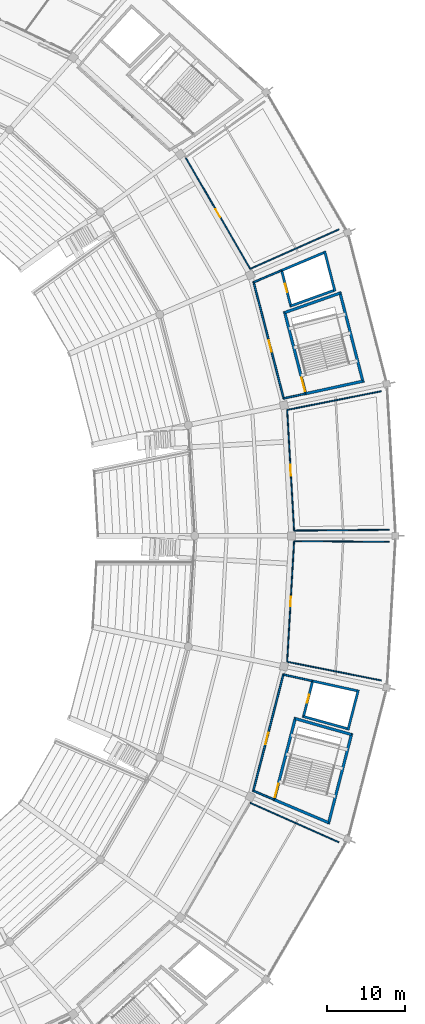
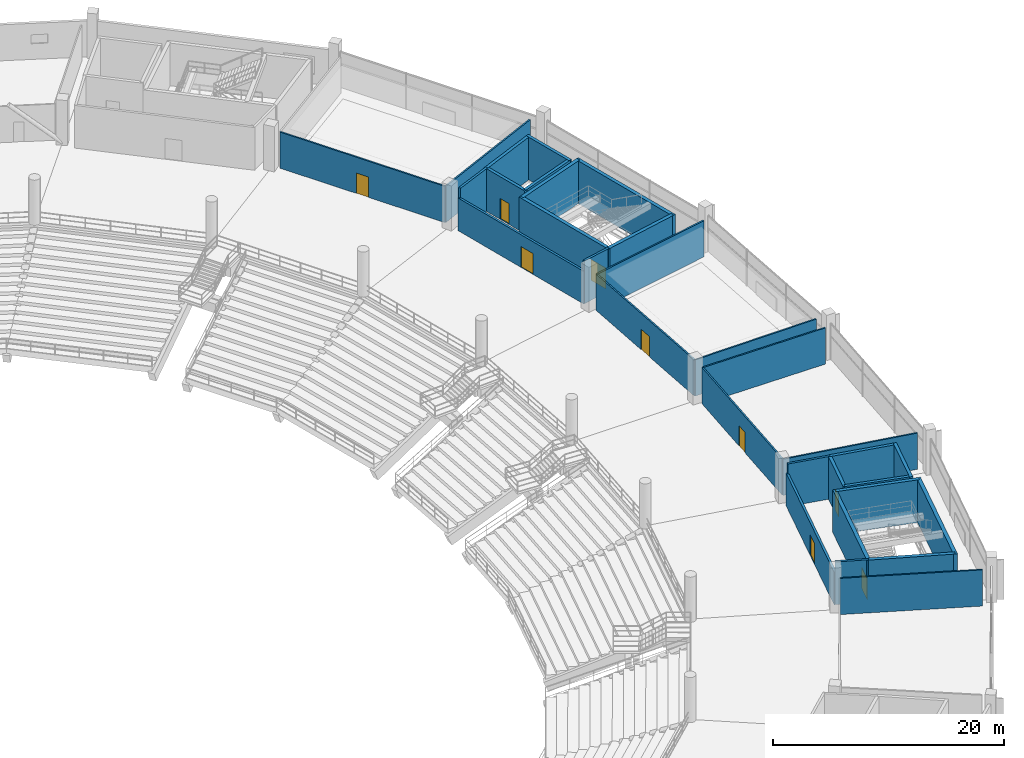
# One storey, part 105 of 156: 31 walls, 9 doors, 9 openings.
"""IFC4 building model written with IfcOpenShell, lengths in metres."""

from ifc_helpers import new_model, si_unit, direction, frame, frame_2d, origin, place, context, subcontext, project, spatial, rectangle, extrude, material, layer, layer_set, type_object, element, fill, save


model = new_model("IFC4")

# Units and contexts
model_context = context("Model", 3, precision=1e-05, world=origin(), true_north=direction((0.0, 1.0)))
body_context = subcontext(model_context, "Body", "Model", "MODEL_VIEW")
ifc_project = project(units=[si_unit("LENGTHUNIT", "METRE"), si_unit("AREAUNIT", "SQUARE_METRE"), si_unit("VOLUMEUNIT", "CUBIC_METRE"), si_unit("PLANEANGLEUNIT", "RADIAN"), si_unit("MASSUNIT", "GRAM", prefix="KILO")], contexts=[model_context])

# Site, building, storey
site_placement = place(None, origin())
site = spatial("IfcSite", under=ifc_project, at=site_placement, CompositionType="ELEMENT")
building_placement = place(site_placement, origin())
building = spatial("IfcBuilding", under=site, at=building_placement, Name="Kazemori Nagisa Stadium", CompositionType="ELEMENT")
storey_placement = place(building_placement, frame((0.0, 0.0, 5.780029296875)))
storey = spatial("IfcBuildingStorey", under=building, at=storey_placement, Name="L01", CompositionType="ELEMENT", Elevation=5.780029296875)

# Wall, opening, door
ifc_material_1 = material(Name="Concrete C40/50 (Fc42)", Category="concrete")
ifc_layer_1 = layer(ifc_material_1, 0.35009765625, Name="Concrete C40/50 (Fc42)", Category="concrete")
ifc_layer_set_1 = layer_set([ifc_layer_1], Name="Concrete C40/50 (Fc42)")
wall_type_1 = type_object("IfcWallType", Name="Wall_W-CORE-350", PredefinedType="SHEAR", material=ifc_layer_set_1)
wall_1_placement = place(storey_placement, frame((206.5625, 119.996337890625, 0.0), z_axis=(0.0, 0.0, 1.0), x_axis=(-0.249959564539, 0.968256276042, 0.0)))
wall_1 = element("IfcWall", 1, at=wall_1_placement, inside=storey, type_object=wall_type_1, Name="Core stair front shear wall ST07 L01", PredefinedType="SHEAR", context=body_context, shape_type="SweptSolid", body=[
    extrude(rectangle(XDim=11.046630859375, YDim=0.35009765625, at=frame_2d((5.5234375, 0.0))), origin(), (0.0, 0.0, 1.0), 4.5),
])
opening_1_placement = place(wall_1_placement, frame((0.47509765625, 0.0, 0.0)))
opening_1 = element("IfcOpeningElement", 2, at=opening_1_placement, cuts=wall_1, Name="Opening D-ST-1800", PredefinedType="OPENING", context=body_context, shape_type="SweptSolid", body=[
    extrude(rectangle(XDim=1.800048828125, YDim=2.199951171875, at=frame_2d((0.89990234375, 1.10009765625))), frame((0.0, 0.18505859375, 0.0), z_axis=(0.0, -1.0, 0.0), x_axis=(1.0, 0.0, 0.0)), (0.0, 0.0, 1.0), 0.3701171875),
])
ifc_material_2 = material(Name="Galvanised steel sheet", Category="steel")
door_type_1 = type_object("IfcDoorType", Name="Door_D-ST-1800", OperationType="NOTDEFINED", PredefinedType="DOOR", material=ifc_material_2)
door_1_placement = place(opening_1_placement, frame((1.800048828125, 0.0, 0.0), z_axis=(0.0, 0.0, 1.0), x_axis=(-1.0, 0.0, 0.0)))
door_1 = element("IfcDoor", 3, at=door_1_placement, inside=storey, type_object=door_type_1, Name="Exit stair fire door ST07-L01", OperationType="SINGLE_SWING_LEFT", OverallHeight=2.199951171875, OverallWidth=1.800048828125, PredefinedType="DOOR", context=body_context, shape_type="SweptSolid", body=[
    extrude(rectangle(XDim=1.800048828125, YDim=2.199951171875, at=frame_2d((0.89990234375, 1.10009765625))), frame((0.0, 0.02490234375, 0.0), z_axis=(0.0, -1.0, 0.0), x_axis=(1.0, 0.0, 0.0)), (0.0, 0.0, 1.0), 0.050048828125),
])
fill(opening_1, door_1)

# Walls
wall_2_placement = place(storey_placement, frame((213.86572265625, 121.5849609375, 0.0), z_axis=(0.0, 0.0, 1.0), x_axis=(-0.249969221583, 0.968253782983, 0.0)))
element("IfcWall", 4, at=wall_2_placement, inside=storey, type_object=wall_type_1, Name="Core stair rear shear wall ST07 L01", PredefinedType="SHEAR", context=body_context, shape_type="SweptSolid", body=[
    extrude(rectangle(XDim=11.98193359375, YDim=0.35009765625, at=frame_2d((5.990966796875, 0.0))), origin(), (0.0, 0.0, 1.0), 4.5),
])
wall_3_placement = place(storey_placement, frame((206.518798828125, 120.165771484375, 0.0), z_axis=(0.0, 0.0, 1.0), x_axis=(0.977149528138, 0.2125530514, 0.0)))
element("IfcWall", 5, at=wall_3_placement, inside=storey, type_object=wall_type_1, Name="Core stair left shear wall ST07 L01", PredefinedType="SHEAR", context=body_context, shape_type="SweptSolid", body=[
    extrude(rectangle(XDim=7.47412109375, YDim=0.35009765625, at=frame_2d((3.737060546875, 0.0))), origin(), (0.0, 0.0, 1.0), 4.5),
])
wall_4_placement = place(storey_placement, frame((203.844970703125, 130.52294921875, 0.0), z_axis=(0.0, 0.0, 1.0), x_axis=(0.943032412173, 0.332700871042, 0.0)))
element("IfcWall", 6, at=wall_4_placement, inside=storey, type_object=wall_type_1, Name="Core stair right shear wall ST07 L01", PredefinedType="SHEAR", context=body_context, shape_type="SweptSolid", body=[
    extrude(rectangle(XDim=7.49658203125, YDim=0.35009765625, at=frame_2d((3.748291015625, 0.0))), origin(), (0.0, 0.0, 1.0), 4.5),
])

# Wall, opening, door
wall_5_placement = place(storey_placement, frame((202.46435546875, 68.129150390625, 0.0), z_axis=(0.0, 0.0, 1.0), x_axis=(0.249959564539, 0.968256276042, 0.0)))
wall_5 = element("IfcWall", 7, at=wall_5_placement, inside=storey, type_object=wall_type_1, Name="Core stair front shear wall ST10 L01", PredefinedType="SHEAR", context=body_context, shape_type="SweptSolid", body=[
    extrude(rectangle(XDim=11.046630859375, YDim=0.35009765625, at=frame_2d((5.5234375, 0.0))), origin(), (0.0, 0.0, 1.0), 4.5),
])
opening_2_placement = place(wall_5_placement, frame((0.47509765625, 0.0, 0.0)))
opening_2 = element("IfcOpeningElement", 8, at=opening_2_placement, cuts=wall_5, Name="Opening D-ST-1800", PredefinedType="OPENING", context=body_context, shape_type="SweptSolid", body=[
    extrude(rectangle(XDim=1.800048828125, YDim=2.199951171875, at=frame_2d((0.89990234375, 1.10009765625))), frame((0.0, 0.18505859375, 0.0), z_axis=(0.0, -1.0, 0.0), x_axis=(1.0, 0.0, 0.0)), (0.0, 0.0, 1.0), 0.3701171875),
])
door_2_placement = place(opening_2_placement, frame((1.800048828125, 0.0, 0.0), z_axis=(0.0, 0.0, 1.0), x_axis=(-1.0, 0.0, 0.0)))
door_2 = element("IfcDoor", 9, at=door_2_placement, inside=storey, type_object=door_type_1, Name="Exit stair fire door ST10-L01", OperationType="SINGLE_SWING_RIGHT", OverallHeight=2.199951171875, OverallWidth=1.800048828125, PredefinedType="DOOR", context=body_context, shape_type="SweptSolid", body=[
    extrude(rectangle(XDim=1.800048828125, YDim=2.199951171875, at=frame_2d((0.89990234375, 1.10009765625))), frame((0.0, 0.02490234375, 0.0), z_axis=(0.0, -1.0, 0.0), x_axis=(1.0, 0.0, 0.0)), (0.0, 0.0, 1.0), 0.050048828125),
])
fill(opening_2, door_2)

# Walls
wall_6_placement = place(storey_placement, frame((209.4169921875, 65.18212890625, 0.0), z_axis=(0.0, 0.0, 1.0), x_axis=(0.249969221583, 0.968253782983, 0.0)))
element("IfcWall", 10, at=wall_6_placement, inside=storey, type_object=wall_type_1, Name="Core stair rear shear wall ST10 L01", PredefinedType="SHEAR", context=body_context, shape_type="SweptSolid", body=[
    extrude(rectangle(XDim=11.98193359375, YDim=0.35009765625, at=frame_2d((5.990966796875, 0.0))), origin(), (0.0, 0.0, 1.0), 4.5),
])
wall_7_placement = place(storey_placement, frame((202.508056640625, 68.298583984375, 0.0), z_axis=(0.0, 0.0, 1.0), x_axis=(0.920704667209, -0.390260061728, 0.0)))
element("IfcWall", 11, at=wall_7_placement, inside=storey, type_object=wall_type_1, Name="Core stair left shear wall ST10 L01", PredefinedType="SHEAR", context=body_context, shape_type="SweptSolid", body=[
    extrude(rectangle(XDim=7.551513671875, YDim=0.35009765625, at=frame_2d((3.77587890625, 0.0))), origin(), (0.0, 0.0, 1.0), 4.5),
])
wall_8_placement = place(storey_placement, frame((205.181884765625, 78.655517578125, 0.0), z_axis=(0.0, 0.0, 1.0), x_axis=(0.961945802461, -0.273240321195, 0.0)))
element("IfcWall", 12, at=wall_8_placement, inside=storey, type_object=wall_type_1, Name="Core stair right shear wall ST10 L01", PredefinedType="SHEAR", context=body_context, shape_type="SweptSolid", body=[
    extrude(rectangle(XDim=7.470458984375, YDim=0.35009765625, at=frame_2d((3.7353515625, 0.0))), origin(), (0.0, 0.0, 1.0), 4.5),
])

# Wall, opening, door
ifc_material_3 = material(Name="Concrete C36/45 (Fc36)", Category="concrete")
ifc_layer_2 = layer(ifc_material_3, 0.219970703125, Name="Concrete C36/45 (Fc36)", Category="concrete")
ifc_layer_set_2 = layer_set([ifc_layer_2], Name="Concrete C36/45 (Fc36)")
wall_type_2 = type_object("IfcWallType", Name="Wall_W-LOBBY-220", PredefinedType="SOLIDWALL", material=ifc_layer_set_2)
wall_9_placement = place(storey_placement, frame((203.7373046875, 119.448486328125, 0.0), z_axis=(0.0, 0.0, 1.0), x_axis=(-0.249963472505, 0.968255267176, 0.0)))
wall_9 = element("IfcWall", 13, at=wall_9_placement, inside=storey, type_object=wall_type_2, Name="Core lobby fire wall ST07 L01", PredefinedType="SOLIDWALL", context=body_context, shape_type="SweptSolid", body=[
    extrude(rectangle(XDim=15.552978515625, YDim=0.219970703125, at=frame_2d((7.7763671875, 0.0))), origin(), (0.0, 0.0, 1.0), 3.447998046875),
])
opening_3_placement = place(wall_9_placement, frame((6.260009765625, 0.0, 0.0)))
opening_3 = element("IfcOpeningElement", 14, at=opening_3_placement, cuts=wall_9, Name="Opening D-FFL-1500", PredefinedType="OPENING", context=body_context, shape_type="SweptSolid", body=[
    extrude(rectangle(XDim=1.5, YDim=2.199951171875, at=frame_2d((0.75, 1.10009765625))), frame((0.0, 0.119873046875, 0.0), z_axis=(0.0, -1.0, 0.0), x_axis=(1.0, 0.0, 0.0)), (0.0, 0.0, 1.0), 0.239990234375),
])
door_type_2 = type_object("IfcDoorType", Name="Door_D-FFL-1500", OperationType="NOTDEFINED", PredefinedType="DOOR", material=ifc_material_2)
door_3_placement = place(opening_3_placement, frame((1.5, 0.0, 0.0), z_axis=(0.0, 0.0, 1.0), x_axis=(-1.0, 0.0, 0.0)))
door_3 = element("IfcDoor", 15, at=door_3_placement, inside=storey, type_object=door_type_2, Name="Protected lobby fire door ST07-L01", OperationType="DOUBLE_DOOR_SINGLE_SWING", OverallHeight=2.199951171875, OverallWidth=1.5, PredefinedType="DOOR", context=body_context, shape_type="SweptSolid", body=[
    extrude(rectangle(XDim=1.5, YDim=2.199951171875, at=frame_2d((0.75, 1.10009765625))), frame((0.0, 0.02490234375, 0.0), z_axis=(0.0, -1.0, 0.0), x_axis=(1.0, 0.0, 0.0)), (0.0, 0.0, 1.0), 0.050048828125),
])
fill(opening_3, door_3)

# Walls
wall_10_placement = place(storey_placement, frame((203.7099609375, 119.554931640625, 0.0), z_axis=(0.0, 0.0, 1.0), x_axis=(0.977160263607, 0.212503692268, 0.0)))
element("IfcWall", 16, at=wall_10_placement, inside=storey, type_object=wall_type_2, Name="Core lobby left wall ST07 L01", PredefinedType="SOLIDWALL", context=body_context, shape_type="SweptSolid", body=[
    extrude(rectangle(XDim=2.87451171875, YDim=0.219970703125, at=frame_2d((1.437255859375, 0.0))), origin(), (0.0, 0.0, 1.0), 4.5),
])
wall_11_placement = place(storey_placement, frame((199.877197265625, 134.401123046875, 0.0), z_axis=(0.0, 0.0, 1.0), x_axis=(0.921486922561, 0.388409386535, 0.0)))
element("IfcWall", 17, at=wall_11_placement, inside=storey, type_object=wall_type_2, Name="Core lobby right wall ST07 L01", PredefinedType="SOLIDWALL", context=body_context, shape_type="SweptSolid", body=[
    extrude(rectangle(XDim=3.871337890625, YDim=0.219970703125, at=frame_2d((1.935546875, 0.0))), origin(), (0.0, 0.0, 1.0), 4.5),
])

# Wall, opening, door
wall_12_placement = place(storey_placement, frame((199.806640625, 69.325439453125, 0.0), z_axis=(0.0, 0.0, 1.0), x_axis=(0.249963472505, 0.968255267176, 0.0)))
wall_12 = element("IfcWall", 18, at=wall_12_placement, inside=storey, type_object=wall_type_2, Name="Core lobby fire wall ST10 L01", PredefinedType="SOLIDWALL", context=body_context, shape_type="SweptSolid", body=[
    extrude(rectangle(XDim=15.552978515625, YDim=0.219970703125, at=frame_2d((7.7763671875, 0.0))), origin(), (0.0, 0.0, 1.0), 3.447998046875),
])
opening_4_placement = place(wall_12_placement, frame((6.260009765625, 0.0, 0.0)))
opening_4 = element("IfcOpeningElement", 19, at=opening_4_placement, cuts=wall_12, Name="Opening D-FFL-1500", PredefinedType="OPENING", context=body_context, shape_type="SweptSolid", body=[
    extrude(rectangle(XDim=1.5, YDim=2.199951171875, at=frame_2d((0.75, 1.10009765625))), frame((0.0, 0.119873046875, 0.0), z_axis=(0.0, -1.0, 0.0), x_axis=(1.0, 0.0, 0.0)), (0.0, 0.0, 1.0), 0.239990234375),
])
door_4_placement = place(opening_4_placement, frame((1.5, 0.0, 0.0), z_axis=(0.0, 0.0, 1.0), x_axis=(-1.0, 0.0, 0.0)))
door_4 = element("IfcDoor", 20, at=door_4_placement, inside=storey, type_object=door_type_2, Name="Protected lobby fire door ST10-L01", OperationType="DOUBLE_DOOR_SINGLE_SWING", OverallHeight=2.199951171875, OverallWidth=1.5, PredefinedType="DOOR", context=body_context, shape_type="SweptSolid", body=[
    extrude(rectangle(XDim=1.5, YDim=2.199951171875, at=frame_2d((0.75, 1.10009765625))), frame((0.0, 0.02490234375, 0.0), z_axis=(0.0, -1.0, 0.0), x_axis=(1.0, 0.0, 0.0)), (0.0, 0.0, 1.0), 0.050048828125),
])
fill(opening_4, door_4)

# Walls
wall_13_placement = place(storey_placement, frame((199.834228515625, 69.431884765625, 0.0), z_axis=(0.0, 0.0, 1.0), x_axis=(0.920711790761, -0.390243255361, 0.0)))
element("IfcWall", 21, at=wall_13_placement, inside=storey, type_object=wall_type_2, Name="Core lobby left wall ST10 L01", PredefinedType="SOLIDWALL", context=body_context, shape_type="SweptSolid", body=[
    extrude(rectangle(XDim=2.904052734375, YDim=0.219970703125, at=frame_2d((1.4521484375, 0.0))), origin(), (0.0, 0.0, 1.0), 4.5),
])
wall_14_placement = place(storey_placement, frame((203.666748046875, 84.2783203125, 0.0), z_axis=(0.0, 0.0, 1.0), x_axis=(0.976714725209, -0.214542176645, 0.0)))
element("IfcWall", 22, at=wall_14_placement, inside=storey, type_object=wall_type_2, Name="Core lobby right wall ST10 L01", PredefinedType="SOLIDWALL", context=body_context, shape_type="SweptSolid", body=[
    extrude(rectangle(XDim=3.832763671875, YDim=0.219970703125, at=frame_2d((1.91650390625, 0.0))), origin(), (0.0, 0.0, 1.0), 4.5),
])

# Wall, opening, door
ifc_material_4 = material(Name="Moisture-resistant gypsum board", Category="gypsum")
ifc_layer_3 = layer(ifc_material_4, 0.14990234375, Name="Moisture-resistant gypsum board", Category="gypsum")
ifc_layer_set_3 = layer_set([ifc_layer_3], Name="Moisture-resistant gypsum board")
wall_type_3 = type_object("IfcWallType", Name="Wall_W-PART-150", PredefinedType="PARTITIONING", material=ifc_layer_set_3)
wall_15_placement = place(storey_placement, frame((205.041259765625, 102.67041015625, 0.0), z_axis=(0.0, 0.0, 1.0), x_axis=(-0.057603503798, 0.998339539611, 0.0)))
wall_15 = element("IfcWall", 23, at=wall_15_placement, inside=storey, type_object=wall_type_3, Name="Room corridor partition L01-B01", PredefinedType="PARTITIONING", context=body_context, shape_type="SweptSolid", body=[
    extrude(rectangle(XDim=15.4443359375, YDim=0.14990234375, at=frame_2d((7.72216796875, 0.0))), origin(), (0.0, 0.0, 1.0), 3.820068359375),
])
opening_5_placement = place(wall_15_placement, frame((7.047119140625, 0.0, 0.0)))
opening_5 = element("IfcOpeningElement", 24, at=opening_5_placement, cuts=wall_15, Name="Opening D-CON-1350", PredefinedType="OPENING", context=body_context, shape_type="SweptSolid", body=[
    extrude(rectangle(XDim=1.35009765625, YDim=2.14990234375, at=frame_2d((0.675048828125, 1.074951171875))), frame((0.0, 0.0849609375, 0.0), z_axis=(0.0, -1.0, 0.0), x_axis=(1.0, 0.0, 0.0)), (0.0, 0.0, 1.0), 0.169921875),
])
ifc_material_5 = material(Name="Anodised aluminium 6063-T5", Category="aluminium")
door_type_3 = type_object("IfcDoorType", Name="Door_D-CON-1350", OperationType="NOTDEFINED", PredefinedType="DOOR", material=ifc_material_5)
door_5_placement = place(opening_5_placement, origin())
door_5 = element("IfcDoor", 25, at=door_5_placement, inside=storey, type_object=door_type_3, Name="Room entrance door D-CON-1350 L01-B01", OperationType="SINGLE_SWING_LEFT", OverallHeight=2.14990234375, OverallWidth=1.35009765625, PredefinedType="DOOR", context=body_context, shape_type="SweptSolid", body=[
    extrude(rectangle(XDim=1.35009765625, YDim=2.14990234375, at=frame_2d((0.675048828125, 1.074951171875))), frame((0.0, 0.02490234375, 0.0), z_axis=(0.0, -1.0, 0.0), x_axis=(1.0, 0.0, 0.0)), (0.0, 0.0, 1.0), 0.050048828125),
])
fill(opening_5, door_5)

# Walls
wall_16_placement = place(storey_placement, frame((205.041259765625, 102.67041015625, 0.0), z_axis=(0.0, 0.0, 1.0), x_axis=(0.999966583768, 0.008175044183, 0.0)))
element("IfcWall", 26, at=wall_16_placement, inside=storey, type_object=wall_type_3, Name="Room radial partition L01-B01-L", PredefinedType="PARTITIONING", context=body_context, shape_type="SweptSolid", body=[
    extrude(rectangle(XDim=12.15478515625, YDim=0.14990234375, at=frame_2d((6.077392578125, 0.0))), origin(), (0.0, 0.0, 1.0), 3.820068359375),
])
wall_17_placement = place(storey_placement, frame((204.151611328125, 118.089111328125, 0.0), z_axis=(0.0, 0.0, 1.0), x_axis=(0.980904167784, 0.194491680088, 0.0)))
element("IfcWall", 27, at=wall_17_placement, inside=storey, type_object=wall_type_3, Name="Room radial partition L01-B01-R", PredefinedType="PARTITIONING", context=body_context, shape_type="SweptSolid", body=[
    extrude(rectangle(XDim=12.256591796875, YDim=0.14990234375, at=frame_2d((6.12841796875, 0.0))), origin(), (0.0, 0.0, 1.0), 3.820068359375),
])

# Wall, opening, door
wall_18_placement = place(storey_placement, frame((199.4375, 136.098876953125, 0.0), z_axis=(0.0, 0.0, 1.0), x_axis=(-0.501617777052, 0.865089362867, 0.0)))
wall_18 = element("IfcWall", 28, at=wall_18_placement, inside=storey, type_object=wall_type_3, Name="Room corridor partition L01-B03", PredefinedType="PARTITIONING", context=body_context, shape_type="SweptSolid", body=[
    extrude(rectangle(XDim=16.4638671875, YDim=0.14990234375, at=frame_2d((8.23193359375, 0.0))), origin(), (0.0, 0.0, 1.0), 3.820068359375),
])
opening_6_placement = place(wall_18_placement, frame((7.64208984375, 0.0, 0.0)))
opening_6 = element("IfcOpeningElement", 29, at=opening_6_placement, cuts=wall_18, Name="Opening D-FAD-1180", PredefinedType="OPENING", context=body_context, shape_type="SweptSolid", body=[
    extrude(rectangle(XDim=1.179931640625, YDim=2.14990234375, at=frame_2d((0.58984375, 1.074951171875))), frame((0.0, 0.0849609375, 0.0), z_axis=(0.0, -1.0, 0.0), x_axis=(1.0, 0.0, 0.0)), (0.0, 0.0, 1.0), 0.169921875),
])
ifc_material_6 = material(Name="High-pressure laminate on timber core", Category="wood")
door_type_4 = type_object("IfcDoorType", Name="Door_D-FAD-1180", OperationType="NOTDEFINED", PredefinedType="DOOR", material=ifc_material_6)
door_6_placement = place(opening_6_placement, origin())
door_6 = element("IfcDoor", 30, at=door_6_placement, inside=storey, type_object=door_type_4, Name="Room entrance door D-FAD-1180 L01-B03", OperationType="SINGLE_SWING_RIGHT", OverallHeight=2.14990234375, OverallWidth=1.179931640625, PredefinedType="DOOR", context=body_context, shape_type="SweptSolid", body=[
    extrude(rectangle(XDim=1.179931640625, YDim=2.14990234375, at=frame_2d((0.58984375, 1.074951171875))), frame((0.0, 0.02490234375, 0.0), z_axis=(0.0, -1.0, 0.0), x_axis=(1.0, 0.0, 0.0)), (0.0, 0.0, 1.0), 0.050048828125),
])
fill(opening_6, door_6)

# Walls
for number, where, z_axis, x_axis, name in (
    (31, (199.4375, 136.098876953125, 0.0), (0.0, 0.0, 1.0), (0.913245562849, 0.407409550621, 0.0), "Room radial partition L01-B03-L"),
    (32, (199.4375, 67.901123046875, 0.0), (0.0, 0.0, 1.0), (0.913245562849, -0.407409550621, 0.0), "Room radial partition L01-B26-R"),
):
    element("IfcWall", number, at=place(storey_placement, frame(where, z_axis=z_axis, x_axis=x_axis)), inside=storey, type_object=wall_type_3, Name=name, PredefinedType="PARTITIONING", context=body_context, shape_type="SweptSolid", body=[
        extrude(rectangle(XDim=12.399658203125, YDim=0.14990234375, at=frame_2d((6.19970703125, 0.0))), origin(), (0.0, 0.0, 1.0), 3.820068359375),
    ])

# Wall, opening, door
wall_19_placement = place(storey_placement, frame((204.151611328125, 85.910888671875, 0.0), z_axis=(0.0, 0.0, 1.0), x_axis=(0.057603503798, 0.998339539611, 0.0)))
wall_19 = element("IfcWall", 33, at=wall_19_placement, inside=storey, type_object=wall_type_3, Name="Room corridor partition L01-B28", PredefinedType="PARTITIONING", context=body_context, shape_type="SweptSolid", body=[
    extrude(rectangle(XDim=15.4443359375, YDim=0.14990234375, at=frame_2d((7.72216796875, 0.0))), origin(), (0.0, 0.0, 1.0), 3.820068359375),
])
opening_7_placement = place(wall_19_placement, frame((7.132080078125, 0.0, 0.0)))
opening_7 = element("IfcOpeningElement", 34, at=opening_7_placement, cuts=wall_19, Name="Opening D-FAD-1180", PredefinedType="OPENING", context=body_context, shape_type="SweptSolid", body=[
    extrude(rectangle(XDim=1.179931640625, YDim=2.14990234375, at=frame_2d((0.58984375, 1.074951171875))), frame((0.0, 0.0849609375, 0.0), z_axis=(0.0, -1.0, 0.0), x_axis=(1.0, 0.0, 0.0)), (0.0, 0.0, 1.0), 0.169921875),
])
door_7_placement = place(opening_7_placement, origin())
door_7 = element("IfcDoor", 35, at=door_7_placement, inside=storey, type_object=door_type_4, Name="Room entrance door D-FAD-1180 L01-B28", OperationType="SINGLE_SWING_RIGHT", OverallHeight=2.14990234375, OverallWidth=1.179931640625, PredefinedType="DOOR", context=body_context, shape_type="SweptSolid", body=[
    extrude(rectangle(XDim=1.179931640625, YDim=2.14990234375, at=frame_2d((0.58984375, 1.074951171875))), frame((0.0, 0.02490234375, 0.0), z_axis=(0.0, -1.0, 0.0), x_axis=(1.0, 0.0, 0.0)), (0.0, 0.0, 1.0), 0.050048828125),
])
fill(opening_7, door_7)

# Walls
wall_20_placement = place(storey_placement, frame((204.151611328125, 85.910888671875, 0.0), z_axis=(0.0, 0.0, 1.0), x_axis=(0.980904167784, -0.194491680088, 0.0)))
element("IfcWall", 36, at=wall_20_placement, inside=storey, type_object=wall_type_3, Name="Room radial partition L01-B28-L", PredefinedType="PARTITIONING", context=body_context, shape_type="SweptSolid", body=[
    extrude(rectangle(XDim=12.256591796875, YDim=0.14990234375, at=frame_2d((6.12841796875, 0.0))), origin(), (0.0, 0.0, 1.0), 3.820068359375),
])
wall_21_placement = place(storey_placement, frame((205.041259765625, 101.32958984375, 0.0), z_axis=(0.0, 0.0, 1.0), x_axis=(0.999966583768, -0.008175044183, 0.0)))
element("IfcWall", 37, at=wall_21_placement, inside=storey, type_object=wall_type_3, Name="Room radial partition L01-B28-R", PredefinedType="PARTITIONING", context=body_context, shape_type="SweptSolid", body=[
    extrude(rectangle(XDim=12.15478515625, YDim=0.14990234375, at=frame_2d((6.077392578125, 0.0))), origin(), (0.0, 0.0, 1.0), 3.820068359375),
])

# Wall, opening, door
ifc_layer_4 = layer(ifc_material_1, 0.300048828125, Name="Concrete C40/50 (Fc42)", Category="concrete")
ifc_layer_set_4 = layer_set([ifc_layer_4], Name="Concrete C40/50 (Fc42)")
wall_type_4 = type_object("IfcWallType", Name="Wall_W-SHAFT-300", PredefinedType="SHEAR", material=ifc_layer_set_4)
wall_22_placement = place(storey_placement, frame((204.65380859375, 131.22119140625, 0.0), z_axis=(0.0, 0.0, 1.0), x_axis=(-0.250003862389, 0.968244839279, 0.0)))
wall_22 = element("IfcWall", 38, at=wall_22_placement, inside=storey, type_object=wall_type_4, Name="Lift shaft front wall LP5 L01", PredefinedType="SHEAR", context=body_context, shape_type="SweptSolid", body=[
    extrude(rectangle(XDim=4.9873046875, YDim=0.300048828125, at=frame_2d((2.49365234375, 0.0))), origin(), (0.0, 0.0, 1.0), 4.5),
])
opening_8_placement = place(wall_22_placement, frame((1.944091796875, 0.0, 0.0)))
opening_8 = element("IfcOpeningElement", 39, at=opening_8_placement, cuts=wall_22, Name="Opening LD-PAX", PredefinedType="OPENING", context=body_context, shape_type="SweptSolid", body=[
    extrude(rectangle(XDim=1.10009765625, YDim=2.199951171875, at=frame_2d((0.550048828125, 1.10009765625))), frame((0.0, 0.159912109375, 0.0), z_axis=(0.0, -1.0, 0.0), x_axis=(1.0, 0.0, 0.0)), (0.0, 0.0, 1.0), 0.320068359375),
])
ifc_material_7 = material(Name="Stainless steel SUS304", Category="steel")
door_type_5 = type_object("IfcDoorType", Name="Door_LD-PAX", OperationType="SLIDING_TO_RIGHT", PredefinedType="DOOR", material=ifc_material_7)
door_8_placement = place(opening_8_placement, origin())
door_8 = element("IfcDoor", 40, at=door_8_placement, inside=storey, type_object=door_type_5, Name="Lift landing door LP5-L01", OperationType="SLIDING_TO_RIGHT", OverallHeight=2.199951171875, OverallWidth=1.10009765625, PredefinedType="DOOR", context=body_context, shape_type="SweptSolid", body=[
    extrude(rectangle(XDim=1.10009765625, YDim=2.199951171875, at=frame_2d((0.550048828125, 1.10009765625))), frame((0.0, 0.02490234375, 0.0), z_axis=(0.0, -1.0, 0.0), x_axis=(1.0, 0.0, 0.0)), (0.0, 0.0, 1.0), 0.050048828125),
])
fill(opening_8, door_8)

# Walls
wall_23_placement = place(storey_placement, frame((210.263671875, 133.23974609375, 0.0), z_axis=(0.0, 0.0, 1.0), x_axis=(-0.249961459705, 0.968255786795, 0.0)))
element("IfcWall", 41, at=wall_23_placement, inside=storey, type_object=wall_type_4, Name="Lift shaft B wall LP5 L01", PredefinedType="SHEAR", context=body_context, shape_type="SweptSolid", body=[
    extrude(rectangle(XDim=5.309326171875, YDim=0.300048828125, at=frame_2d((2.65478515625, 0.0))), origin(), (0.0, 0.0, 1.0), 4.5),
])
wall_24_placement = place(storey_placement, frame((204.6162109375, 131.366455078125, 0.0), z_axis=(0.0, 0.0, 1.0), x_axis=(0.940945340179, 0.338558513103, 0.0)))
element("IfcWall", 42, at=wall_24_placement, inside=storey, type_object=wall_type_4, Name="Lift shaft L wall LP5 L01", PredefinedType="SHEAR", context=body_context, shape_type="SweptSolid", body=[
    extrude(rectangle(XDim=5.962158203125, YDim=0.300048828125, at=frame_2d((2.98095703125, 0.0))), origin(), (0.0, 0.0, 1.0), 4.5),
])
wall_25_placement = place(storey_placement, frame((203.444580078125, 135.90478515625, 0.0), z_axis=(0.0, 0.0, 1.0), x_axis=(0.92149593043, 0.388388015007, 0.0)))
element("IfcWall", 43, at=wall_25_placement, inside=storey, type_object=wall_type_4, Name="Lift shaft R wall LP5 L01", PredefinedType="SHEAR", context=body_context, shape_type="SweptSolid", body=[
    extrude(rectangle(XDim=6.000732421875, YDim=0.300048828125, at=frame_2d((3.00048828125, 0.0))), origin(), (0.0, 0.0, 1.0), 4.5),
])

# Wall, opening, door
wall_26_placement = place(storey_placement, frame((206.200927734375, 78.772216796875, 0.0), z_axis=(0.0, 0.0, 1.0), x_axis=(0.249946120621, 0.968259746549, 0.0)))
wall_26 = element("IfcWall", 44, at=wall_26_placement, inside=storey, type_object=wall_type_4, Name="Lift shaft front wall LP8 L01", PredefinedType="SHEAR", context=body_context, shape_type="SweptSolid", body=[
    extrude(rectangle(XDim=4.9873046875, YDim=0.300048828125, at=frame_2d((2.49365234375, 0.0))), origin(), (0.0, 0.0, 1.0), 4.5),
])
opening_9_placement = place(wall_26_placement, frame((1.944091796875, 0.0, 0.0)))
opening_9 = element("IfcOpeningElement", 45, at=opening_9_placement, cuts=wall_26, Name="Opening LD-PAX", PredefinedType="OPENING", context=body_context, shape_type="SweptSolid", body=[
    extrude(rectangle(XDim=1.10009765625, YDim=2.199951171875, at=frame_2d((0.550048828125, 1.10009765625))), frame((0.0, 0.159912109375, 0.0), z_axis=(0.0, -1.0, 0.0), x_axis=(1.0, 0.0, 0.0)), (0.0, 0.0, 1.0), 0.320068359375),
])
door_9_placement = place(opening_9_placement, origin())
door_9 = element("IfcDoor", 46, at=door_9_placement, inside=storey, type_object=door_type_5, Name="Lift landing door LP8-L01", OperationType="SLIDING_TO_RIGHT", OverallHeight=2.199951171875, OverallWidth=1.10009765625, PredefinedType="DOOR", context=body_context, shape_type="SweptSolid", body=[
    extrude(rectangle(XDim=1.10009765625, YDim=2.199951171875, at=frame_2d((0.550048828125, 1.10009765625))), frame((0.0, 0.02490234375, 0.0), z_axis=(0.0, -1.0, 0.0), x_axis=(1.0, 0.0, 0.0)), (0.0, 0.0, 1.0), 0.050048828125),
])
fill(opening_9, door_9)

# Walls
wall_27_placement = place(storey_placement, frame((211.922607421875, 77.185791015625, 0.0), z_axis=(0.0, 0.0, 1.0), x_axis=(0.249918349381, 0.968266914979, 0.0)))
element("IfcWall", 47, at=wall_27_placement, inside=storey, type_object=wall_type_4, Name="Lift shaft B wall LP8 L01", PredefinedType="SHEAR", context=body_context, shape_type="SweptSolid", body=[
    extrude(rectangle(XDim=5.309326171875, YDim=0.300048828125, at=frame_2d((2.65478515625, 0.0))), origin(), (0.0, 0.0, 1.0), 4.5),
])
wall_28_placement = place(storey_placement, frame((206.238525390625, 78.91748046875, 0.0), z_axis=(0.0, 0.0, 1.0), x_axis=(0.963642107639, -0.267196348002, 0.0)))
element("IfcWall", 48, at=wall_28_placement, inside=storey, type_object=wall_type_4, Name="Lift shaft L wall LP8 L01", PredefinedType="SHEAR", context=body_context, shape_type="SweptSolid", body=[
    extrude(rectangle(XDim=5.937255859375, YDim=0.300048828125, at=frame_2d((2.96875, 0.0))), origin(), (0.0, 0.0, 1.0), 4.5),
])
wall_29_placement = place(storey_placement, frame((207.41015625, 83.4560546875, 0.0), z_axis=(0.0, 0.0, 1.0), x_axis=(0.976707381947, -0.214575604509, 0.0)))
element("IfcWall", 49, at=wall_29_placement, inside=storey, type_object=wall_type_4, Name="Lift shaft R wall LP8 L01", PredefinedType="SHEAR", context=body_context, shape_type="SweptSolid", body=[
    extrude(rectangle(XDim=5.9404296875, YDim=0.300048828125, at=frame_2d((2.97021484375, 0.0))), origin(), (0.0, 0.0, 1.0), 4.5),
])

save(model, "model.ifc")
